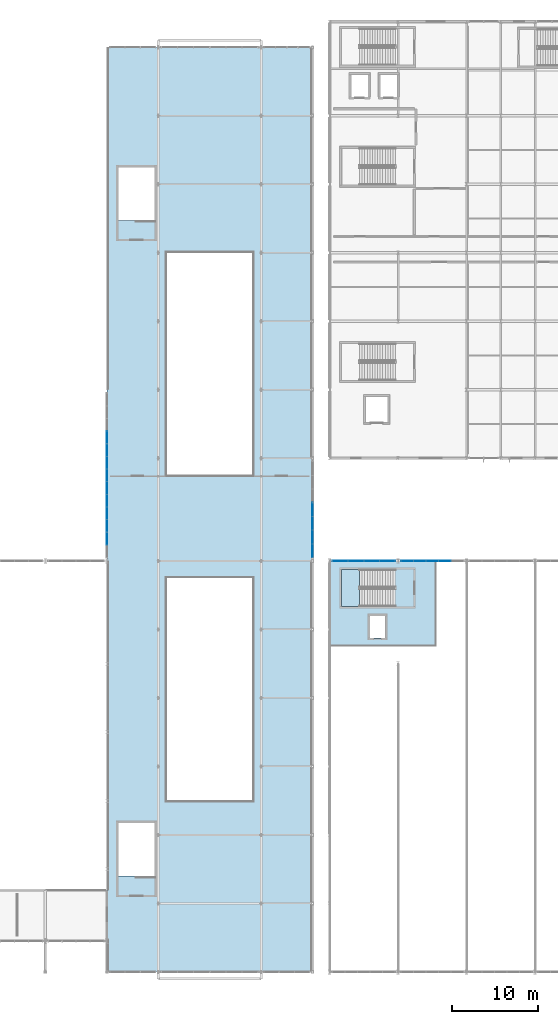
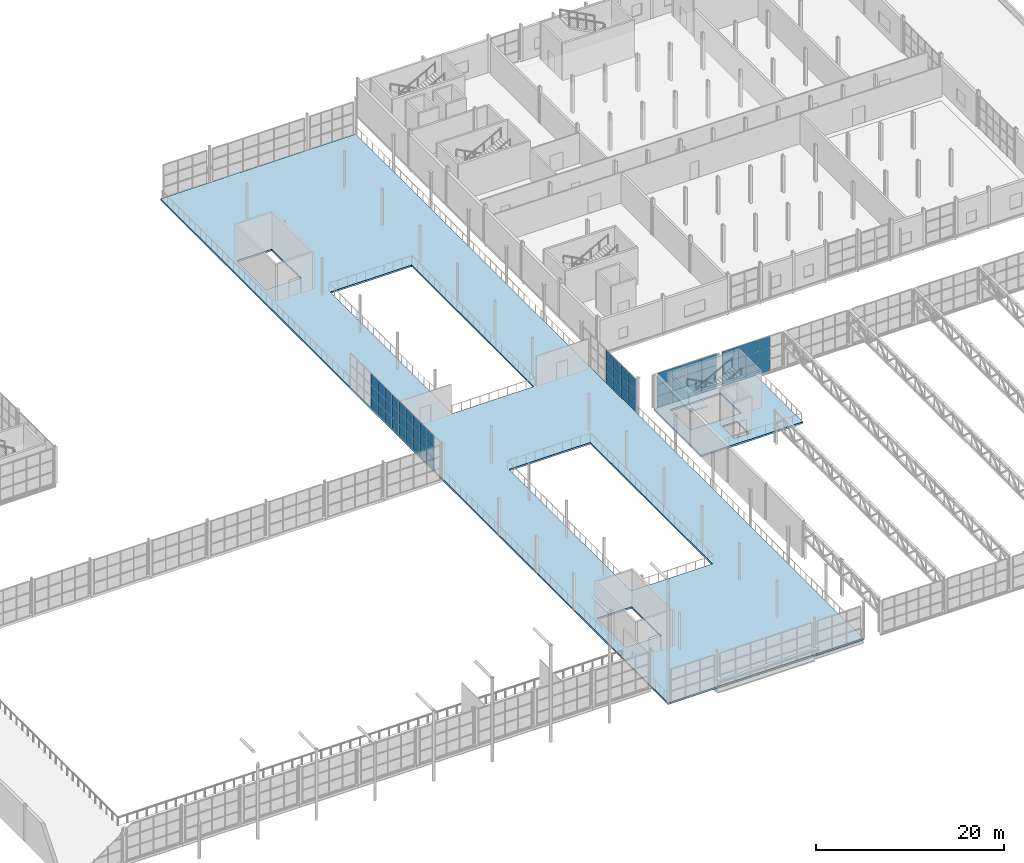
# One storey, part 109 of 143: 63 plates, 3 slabs, 5 elements without a shape of their own.
"""IFC4 building model written with IfcOpenShell, lengths in metres."""

from ifc_helpers import new_model, si_unit, derived_unit, direction, frame, origin, origin_2d, place, context, subcontext, project, spatial, polyline, rectangle, outline, extrude, material, layer, layer_set, type_object, element, aggregate, save


model = new_model("IFC4")

# Units and contexts
model_context = context("Model", 3, precision=1e-05, world=origin(), true_north=direction((0.0, 1.0)))
body_context = subcontext(model_context, "Body", "Model", "MODEL_VIEW")
ifc_project = project(units=[si_unit("LENGTHUNIT", "METRE"), si_unit("AREAUNIT", "SQUARE_METRE"), si_unit("VOLUMEUNIT", "CUBIC_METRE"), si_unit("PLANEANGLEUNIT", "RADIAN"), si_unit("MASSUNIT", "GRAM", prefix="KILO"), derived_unit("THERMALTRANSMITTANCEUNIT", [(si_unit("POWERUNIT", "WATT"), 1), (si_unit("LENGTHUNIT", "METRE"), -2), (si_unit("THERMODYNAMICTEMPERATUREUNIT", "KELVIN"), -1)])], contexts=[model_context])

# Site, building, storey
site_placement = place(None, origin())
site = spatial("IfcSite", under=ifc_project, at=site_placement, CompositionType="ELEMENT")
building_placement = place(site_placement, origin())
building = spatial("IfcBuilding", under=site, at=building_placement, Name="Keldorne Ridge Multi-Sports Centre", CompositionType="ELEMENT")
storey_placement = place(building_placement, frame((0.0, 0.0, 4.800048828125)))
storey = spatial("IfcBuildingStorey", under=building, at=storey_placement, Name="L01", CompositionType="ELEMENT", Elevation=4.800048828125)

# Curtain wall, plates
ifc_material_1 = material(Name="Anodized aluminium", Category="aluminium")
curtain_wall_type_1 = type_object("IfcCurtainWallType", Name="CW-CW-04", PredefinedType="NOTDEFINED", material=ifc_material_1)
curtain_wall_1_placement = place(storey_placement, origin())
curtain_wall_1 = element("IfcCurtainWall", 1, at=curtain_wall_1_placement, inside=storey, type_object=curtain_wall_type_1, Name="Passage west courtyard curtain wall L01 084", PredefinedType="NOTDEFINED")
ifc_material_2 = material(Name="Double low-e insulated glazing", Category="glass")
ifc_layer_1 = layer(ifc_material_2, 0.035888671875)
ifc_layer_set_1 = layer_set([ifc_layer_1])
plate_type = type_object("IfcPlateType", Name="PLT-GL-01", PredefinedType="CURTAIN_PANEL", material=ifc_layer_set_1)
plate_1_placement = place(storey_placement, frame((78.0, 68.430908203125, 0.02001953125), z_axis=(0.0, 0.0, 1.0), x_axis=(0.0, -1.0, 0.0)))
plate_1 = element("IfcPlate", 2, at=plate_1_placement, type_object=plate_type, Name="CW-084 glazed panel 4.1", PredefinedType="CURTAIN_PANEL", context=body_context, shape_type="SweptSolid", body=[
    extrude(rectangle(XDim=1.43701171875, YDim=0.035888671875, at=origin_2d()), origin(), (0.0, 0.0, 1.0), 1.4599609375),
])
plate_2_placement = place(storey_placement, frame((78.0, 68.430908203125, 1.52001953125), z_axis=(0.0, 0.0, 1.0), x_axis=(0.0, -1.0, 0.0)))
plate_2 = element("IfcPlate", 3, at=plate_2_placement, type_object=plate_type, Name="CW-084 glazed panel 4.2", PredefinedType="CURTAIN_PANEL", context=body_context, shape_type="SweptSolid", body=[
    extrude(rectangle(XDim=1.43701171875, YDim=0.035888671875, at=origin_2d()), origin(), (0.0, 0.0, 1.0), 1.4599609375),
])
plate_3_placement = place(storey_placement, frame((78.0, 68.430908203125, 3.02001953125), z_axis=(0.0, 0.0, 1.0), x_axis=(0.0, -1.0, 0.0)))
plate_3 = element("IfcPlate", 4, at=plate_3_placement, type_object=plate_type, Name="CW-084 glazed panel 4.3", PredefinedType="CURTAIN_PANEL", context=body_context, shape_type="SweptSolid", body=[
    extrude(rectangle(XDim=1.43701171875, YDim=0.035888671875, at=origin_2d()), origin(), (0.0, 0.0, 1.0), 1.4599609375),
])
plate_4_placement = place(storey_placement, frame((78.0, 66.953857421875, 0.02001953125), z_axis=(0.0, 0.0, 1.0), x_axis=(0.0, -1.0, 0.0)))
plate_4 = element("IfcPlate", 5, at=plate_4_placement, type_object=plate_type, Name="CW-084 glazed panel 5.1", PredefinedType="CURTAIN_PANEL", context=body_context, shape_type="SweptSolid", body=[
    extrude(rectangle(XDim=1.43701171875, YDim=0.035888671875, at=origin_2d()), origin(), (0.0, 0.0, 1.0), 1.4599609375),
])
plate_5_placement = place(storey_placement, frame((78.0, 66.953857421875, 1.52001953125), z_axis=(0.0, 0.0, 1.0), x_axis=(0.0, -1.0, 0.0)))
plate_5 = element("IfcPlate", 6, at=plate_5_placement, type_object=plate_type, Name="CW-084 glazed panel 5.2", PredefinedType="CURTAIN_PANEL", context=body_context, shape_type="SweptSolid", body=[
    extrude(rectangle(XDim=1.43701171875, YDim=0.035888671875, at=origin_2d()), origin(), (0.0, 0.0, 1.0), 1.4599609375),
])
plate_6_placement = place(storey_placement, frame((78.0, 66.953857421875, 3.02001953125), z_axis=(0.0, 0.0, 1.0), x_axis=(0.0, -1.0, 0.0)))
plate_6 = element("IfcPlate", 7, at=plate_6_placement, type_object=plate_type, Name="CW-084 glazed panel 5.3", PredefinedType="CURTAIN_PANEL", context=body_context, shape_type="SweptSolid", body=[
    extrude(rectangle(XDim=1.43701171875, YDim=0.035888671875, at=origin_2d()), origin(), (0.0, 0.0, 1.0), 1.4599609375),
])
plate_7_placement = place(storey_placement, frame((78.0, 65.476806640625, 0.02001953125), z_axis=(0.0, 0.0, 1.0), x_axis=(0.0, -1.0, 0.0)))
plate_7 = element("IfcPlate", 8, at=plate_7_placement, type_object=plate_type, Name="CW-084 glazed panel 6.1", PredefinedType="CURTAIN_PANEL", context=body_context, shape_type="SweptSolid", body=[
    extrude(rectangle(XDim=1.43701171875, YDim=0.035888671875, at=origin_2d()), origin(), (0.0, 0.0, 1.0), 1.4599609375),
])
plate_8_placement = place(storey_placement, frame((78.0, 65.476806640625, 1.52001953125), z_axis=(0.0, 0.0, 1.0), x_axis=(0.0, -1.0, 0.0)))
plate_8 = element("IfcPlate", 9, at=plate_8_placement, type_object=plate_type, Name="CW-084 glazed panel 6.2", PredefinedType="CURTAIN_PANEL", context=body_context, shape_type="SweptSolid", body=[
    extrude(rectangle(XDim=1.43701171875, YDim=0.035888671875, at=origin_2d()), origin(), (0.0, 0.0, 1.0), 1.4599609375),
])
plate_9_placement = place(storey_placement, frame((78.0, 65.476806640625, 3.02001953125), z_axis=(0.0, 0.0, 1.0), x_axis=(0.0, -1.0, 0.0)))
plate_9 = element("IfcPlate", 10, at=plate_9_placement, type_object=plate_type, Name="CW-084 glazed panel 6.3", PredefinedType="CURTAIN_PANEL", context=body_context, shape_type="SweptSolid", body=[
    extrude(rectangle(XDim=1.43701171875, YDim=0.035888671875, at=origin_2d()), origin(), (0.0, 0.0, 1.0), 1.4599609375),
])
plate_10_placement = place(storey_placement, frame((78.0, 64.0, 0.02001953125), z_axis=(0.0, 0.0, 1.0), x_axis=(0.0, -1.0, 0.0)))
plate_10 = element("IfcPlate", 11, at=plate_10_placement, type_object=plate_type, Name="CW-084 glazed panel 7.1", PredefinedType="CURTAIN_PANEL", context=body_context, shape_type="SweptSolid", body=[
    extrude(rectangle(XDim=1.43701171875, YDim=0.035888671875, at=origin_2d()), origin(), (0.0, 0.0, 1.0), 1.4599609375),
])
plate_11_placement = place(storey_placement, frame((78.0, 64.0, 1.52001953125), z_axis=(0.0, 0.0, 1.0), x_axis=(0.0, -1.0, 0.0)))
plate_11 = element("IfcPlate", 12, at=plate_11_placement, type_object=plate_type, Name="CW-084 glazed panel 7.2", PredefinedType="CURTAIN_PANEL", context=body_context, shape_type="SweptSolid", body=[
    extrude(rectangle(XDim=1.43701171875, YDim=0.035888671875, at=origin_2d()), origin(), (0.0, 0.0, 1.0), 1.4599609375),
])
plate_12_placement = place(storey_placement, frame((78.0, 64.0, 3.02001953125), z_axis=(0.0, 0.0, 1.0), x_axis=(0.0, -1.0, 0.0)))
plate_12 = element("IfcPlate", 13, at=plate_12_placement, type_object=plate_type, Name="CW-084 glazed panel 7.3", PredefinedType="CURTAIN_PANEL", context=body_context, shape_type="SweptSolid", body=[
    extrude(rectangle(XDim=1.43701171875, YDim=0.035888671875, at=origin_2d()), origin(), (0.0, 0.0, 1.0), 1.4599609375),
])
plate_13_placement = place(storey_placement, frame((78.0, 62.523193359375, 0.02001953125), z_axis=(0.0, 0.0, 1.0), x_axis=(0.0, -1.0, 0.0)))
plate_13 = element("IfcPlate", 14, at=plate_13_placement, type_object=plate_type, Name="CW-084 glazed panel 8.1", PredefinedType="CURTAIN_PANEL", context=body_context, shape_type="SweptSolid", body=[
    extrude(rectangle(XDim=1.43701171875, YDim=0.035888671875, at=origin_2d()), origin(), (0.0, 0.0, 1.0), 1.4599609375),
])
plate_14_placement = place(storey_placement, frame((78.0, 62.523193359375, 1.52001953125), z_axis=(0.0, 0.0, 1.0), x_axis=(0.0, -1.0, 0.0)))
plate_14 = element("IfcPlate", 15, at=plate_14_placement, type_object=plate_type, Name="CW-084 glazed panel 8.2", PredefinedType="CURTAIN_PANEL", context=body_context, shape_type="SweptSolid", body=[
    extrude(rectangle(XDim=1.43701171875, YDim=0.035888671875, at=origin_2d()), origin(), (0.0, 0.0, 1.0), 1.4599609375),
])
plate_15_placement = place(storey_placement, frame((78.0, 62.523193359375, 3.02001953125), z_axis=(0.0, 0.0, 1.0), x_axis=(0.0, -1.0, 0.0)))
plate_15 = element("IfcPlate", 16, at=plate_15_placement, type_object=plate_type, Name="CW-084 glazed panel 8.3", PredefinedType="CURTAIN_PANEL", context=body_context, shape_type="SweptSolid", body=[
    extrude(rectangle(XDim=1.43701171875, YDim=0.035888671875, at=origin_2d()), origin(), (0.0, 0.0, 1.0), 1.4599609375),
])
plate_16_placement = place(storey_placement, frame((78.0, 61.046142578125, 0.02001953125), z_axis=(0.0, 0.0, 1.0), x_axis=(0.0, -1.0, 0.0)))
plate_16 = element("IfcPlate", 17, at=plate_16_placement, type_object=plate_type, Name="CW-084 glazed panel 9.1", PredefinedType="CURTAIN_PANEL", context=body_context, shape_type="SweptSolid", body=[
    extrude(rectangle(XDim=1.43701171875, YDim=0.035888671875, at=origin_2d()), origin(), (0.0, 0.0, 1.0), 1.4599609375),
])
plate_17_placement = place(storey_placement, frame((78.0, 61.046142578125, 1.52001953125), z_axis=(0.0, 0.0, 1.0), x_axis=(0.0, -1.0, 0.0)))
plate_17 = element("IfcPlate", 18, at=plate_17_placement, type_object=plate_type, Name="CW-084 glazed panel 9.2", PredefinedType="CURTAIN_PANEL", context=body_context, shape_type="SweptSolid", body=[
    extrude(rectangle(XDim=1.43701171875, YDim=0.035888671875, at=origin_2d()), origin(), (0.0, 0.0, 1.0), 1.4599609375),
])
plate_18_placement = place(storey_placement, frame((78.0, 61.046142578125, 3.02001953125), z_axis=(0.0, 0.0, 1.0), x_axis=(0.0, -1.0, 0.0)))
plate_18 = element("IfcPlate", 19, at=plate_18_placement, type_object=plate_type, Name="CW-084 glazed panel 9.3", PredefinedType="CURTAIN_PANEL", context=body_context, shape_type="SweptSolid", body=[
    extrude(rectangle(XDim=1.43701171875, YDim=0.035888671875, at=origin_2d()), origin(), (0.0, 0.0, 1.0), 1.4599609375),
])
plate_19_placement = place(storey_placement, frame((78.0, 59.569091796875, 0.02001953125), z_axis=(0.0, 0.0, 1.0), x_axis=(0.0, -1.0, 0.0)))
plate_19 = element("IfcPlate", 20, at=plate_19_placement, type_object=plate_type, Name="CW-084 glazed panel 10.1", PredefinedType="CURTAIN_PANEL", context=body_context, shape_type="SweptSolid", body=[
    extrude(rectangle(XDim=1.43701171875, YDim=0.035888671875, at=origin_2d()), origin(), (0.0, 0.0, 1.0), 1.4599609375),
])
plate_20_placement = place(storey_placement, frame((78.0, 59.569091796875, 1.52001953125), z_axis=(0.0, 0.0, 1.0), x_axis=(0.0, -1.0, 0.0)))
plate_20 = element("IfcPlate", 21, at=plate_20_placement, type_object=plate_type, Name="CW-084 glazed panel 10.2", PredefinedType="CURTAIN_PANEL", context=body_context, shape_type="SweptSolid", body=[
    extrude(rectangle(XDim=1.43701171875, YDim=0.035888671875, at=origin_2d()), origin(), (0.0, 0.0, 1.0), 1.4599609375),
])
plate_21_placement = place(storey_placement, frame((78.0, 59.569091796875, 3.02001953125), z_axis=(0.0, 0.0, 1.0), x_axis=(0.0, -1.0, 0.0)))
plate_21 = element("IfcPlate", 22, at=plate_21_placement, type_object=plate_type, Name="CW-084 glazed panel 10.3", PredefinedType="CURTAIN_PANEL", context=body_context, shape_type="SweptSolid", body=[
    extrude(rectangle(XDim=1.43701171875, YDim=0.035888671875, at=origin_2d()), origin(), (0.0, 0.0, 1.0), 1.4599609375),
])
plate_22_placement = place(storey_placement, frame((78.0, 58.09228515625, 0.02001953125), z_axis=(0.0, 0.0, 1.0), x_axis=(0.0, -1.0, 0.0)))
plate_22 = element("IfcPlate", 23, at=plate_22_placement, type_object=plate_type, Name="CW-084 glazed panel 11.1", PredefinedType="CURTAIN_PANEL", context=body_context, shape_type="SweptSolid", body=[
    extrude(rectangle(XDim=1.43701171875, YDim=0.035888671875, at=origin_2d()), origin(), (0.0, 0.0, 1.0), 1.4599609375),
])
plate_23_placement = place(storey_placement, frame((78.0, 58.09228515625, 1.52001953125), z_axis=(0.0, 0.0, 1.0), x_axis=(0.0, -1.0, 0.0)))
plate_23 = element("IfcPlate", 24, at=plate_23_placement, type_object=plate_type, Name="CW-084 glazed panel 11.2", PredefinedType="CURTAIN_PANEL", context=body_context, shape_type="SweptSolid", body=[
    extrude(rectangle(XDim=1.43701171875, YDim=0.035888671875, at=origin_2d()), origin(), (0.0, 0.0, 1.0), 1.4599609375),
])
plate_24_placement = place(storey_placement, frame((78.0, 58.09228515625, 3.02001953125), z_axis=(0.0, 0.0, 1.0), x_axis=(0.0, -1.0, 0.0)))
plate_24 = element("IfcPlate", 25, at=plate_24_placement, type_object=plate_type, Name="CW-084 glazed panel 11.3", PredefinedType="CURTAIN_PANEL", context=body_context, shape_type="SweptSolid", body=[
    extrude(rectangle(XDim=1.43701171875, YDim=0.035888671875, at=origin_2d()), origin(), (0.0, 0.0, 1.0), 1.4599609375),
])
plate_25_placement = place(storey_placement, frame((78.0, 56.615478515625, 0.02001953125), z_axis=(0.0, 0.0, 1.0), x_axis=(0.0, -1.0, 0.0)))
plate_25 = element("IfcPlate", 26, at=plate_25_placement, type_object=plate_type, Name="CW-084 glazed panel 12.1", PredefinedType="CURTAIN_PANEL", context=body_context, shape_type="SweptSolid", body=[
    extrude(rectangle(XDim=1.43701171875, YDim=0.035888671875, at=origin_2d()), origin(), (0.0, 0.0, 1.0), 1.4599609375),
])
plate_26_placement = place(storey_placement, frame((78.0, 56.615478515625, 1.52001953125), z_axis=(0.0, 0.0, 1.0), x_axis=(0.0, -1.0, 0.0)))
plate_26 = element("IfcPlate", 27, at=plate_26_placement, type_object=plate_type, Name="CW-084 glazed panel 12.2", PredefinedType="CURTAIN_PANEL", context=body_context, shape_type="SweptSolid", body=[
    extrude(rectangle(XDim=1.43701171875, YDim=0.035888671875, at=origin_2d()), origin(), (0.0, 0.0, 1.0), 1.4599609375),
])
plate_27_placement = place(storey_placement, frame((78.0, 56.615478515625, 3.02001953125), z_axis=(0.0, 0.0, 1.0), x_axis=(0.0, -1.0, 0.0)))
plate_27 = element("IfcPlate", 28, at=plate_27_placement, type_object=plate_type, Name="CW-084 glazed panel 12.3", PredefinedType="CURTAIN_PANEL", context=body_context, shape_type="SweptSolid", body=[
    extrude(rectangle(XDim=1.43701171875, YDim=0.035888671875, at=origin_2d()), origin(), (0.0, 0.0, 1.0), 1.4599609375),
])
aggregate(curtain_wall_1, [plate_1, plate_2, plate_3, plate_4, plate_5, plate_6, plate_7, plate_8, plate_9, plate_10, plate_11, plate_12, plate_13, plate_14, plate_15, plate_16, plate_17, plate_18, plate_19, plate_20, plate_21, plate_22, plate_23, plate_24, plate_25, plate_26, plate_27])

curtain_wall_type_2 = type_object("IfcCurtainWallType", Name="CW-CW-06", PredefinedType="NOTDEFINED", material=ifc_material_1)
curtain_wall_2_placement = place(storey_placement, origin())
curtain_wall_2 = element("IfcCurtainWall", 29, at=curtain_wall_2_placement, inside=storey, type_object=curtain_wall_type_2, Name="Passage east courtyard curtain wall L01 086", PredefinedType="NOTDEFINED")
plate_28_placement = place(storey_placement, frame((102.0, 55.199951171875, 0.02001953125), z_axis=(0.0, 0.0, 1.0), x_axis=(0.0, 1.0, 0.0)))
plate_28 = element("IfcPlate", 30, at=plate_28_placement, type_object=plate_type, Name="CW-086 glazed panel 1.1", PredefinedType="CURTAIN_PANEL", context=body_context, shape_type="SweptSolid", body=[
    extrude(rectangle(XDim=1.56005859375, YDim=0.035888671875, at=origin_2d()), origin(), (0.0, 0.0, 1.0), 1.393310546875),
])
plate_29_placement = place(storey_placement, frame((102.0, 55.199951171875, 1.453125), z_axis=(0.0, 0.0, 1.0), x_axis=(0.0, 1.0, 0.0)))
plate_29 = element("IfcPlate", 31, at=plate_29_placement, type_object=plate_type, Name="CW-086 glazed panel 1.2", PredefinedType="CURTAIN_PANEL", context=body_context, shape_type="SweptSolid", body=[
    extrude(rectangle(XDim=1.56005859375, YDim=0.035888671875, at=origin_2d()), origin(), (0.0, 0.0, 1.0), 1.393310546875),
])
plate_30_placement = place(storey_placement, frame((102.0, 55.199951171875, 2.88671875), z_axis=(0.0, 0.0, 1.0), x_axis=(0.0, 1.0, 0.0)))
plate_30 = element("IfcPlate", 32, at=plate_30_placement, type_object=plate_type, Name="CW-086 glazed panel 1.3", PredefinedType="CURTAIN_PANEL", context=body_context, shape_type="SweptSolid", body=[
    extrude(rectangle(XDim=1.56005859375, YDim=0.035888671875, at=origin_2d()), origin(), (0.0, 0.0, 1.0), 1.393310546875),
])
plate_31_placement = place(storey_placement, frame((102.0, 56.800048828125, 0.02001953125), z_axis=(0.0, 0.0, 1.0), x_axis=(0.0, 1.0, 0.0)))
plate_31 = element("IfcPlate", 33, at=plate_31_placement, type_object=plate_type, Name="CW-086 glazed panel 2.1", PredefinedType="CURTAIN_PANEL", context=body_context, shape_type="SweptSolid", body=[
    extrude(rectangle(XDim=1.56005859375, YDim=0.035888671875, at=origin_2d()), origin(), (0.0, 0.0, 1.0), 1.393310546875),
])
plate_32_placement = place(storey_placement, frame((102.0, 56.800048828125, 1.453125), z_axis=(0.0, 0.0, 1.0), x_axis=(0.0, 1.0, 0.0)))
plate_32 = element("IfcPlate", 34, at=plate_32_placement, type_object=plate_type, Name="CW-086 glazed panel 2.2", PredefinedType="CURTAIN_PANEL", context=body_context, shape_type="SweptSolid", body=[
    extrude(rectangle(XDim=1.56005859375, YDim=0.035888671875, at=origin_2d()), origin(), (0.0, 0.0, 1.0), 1.393310546875),
])
plate_33_placement = place(storey_placement, frame((102.0, 56.800048828125, 2.88671875), z_axis=(0.0, 0.0, 1.0), x_axis=(0.0, 1.0, 0.0)))
plate_33 = element("IfcPlate", 35, at=plate_33_placement, type_object=plate_type, Name="CW-086 glazed panel 2.3", PredefinedType="CURTAIN_PANEL", context=body_context, shape_type="SweptSolid", body=[
    extrude(rectangle(XDim=1.56005859375, YDim=0.035888671875, at=origin_2d()), origin(), (0.0, 0.0, 1.0), 1.393310546875),
])
plate_34_placement = place(storey_placement, frame((102.0, 58.39990234375, 0.02001953125), z_axis=(0.0, 0.0, 1.0), x_axis=(0.0, 1.0, 0.0)))
plate_34 = element("IfcPlate", 36, at=plate_34_placement, type_object=plate_type, Name="CW-086 glazed panel 3.1", PredefinedType="CURTAIN_PANEL", context=body_context, shape_type="SweptSolid", body=[
    extrude(rectangle(XDim=1.56005859375, YDim=0.035888671875, at=origin_2d()), origin(), (0.0, 0.0, 1.0), 1.393310546875),
])
plate_35_placement = place(storey_placement, frame((102.0, 58.39990234375, 1.453125), z_axis=(0.0, 0.0, 1.0), x_axis=(0.0, 1.0, 0.0)))
plate_35 = element("IfcPlate", 37, at=plate_35_placement, type_object=plate_type, Name="CW-086 glazed panel 3.2", PredefinedType="CURTAIN_PANEL", context=body_context, shape_type="SweptSolid", body=[
    extrude(rectangle(XDim=1.56005859375, YDim=0.035888671875, at=origin_2d()), origin(), (0.0, 0.0, 1.0), 1.393310546875),
])
plate_36_placement = place(storey_placement, frame((102.0, 58.39990234375, 2.88671875), z_axis=(0.0, 0.0, 1.0), x_axis=(0.0, 1.0, 0.0)))
plate_36 = element("IfcPlate", 38, at=plate_36_placement, type_object=plate_type, Name="CW-086 glazed panel 3.3", PredefinedType="CURTAIN_PANEL", context=body_context, shape_type="SweptSolid", body=[
    extrude(rectangle(XDim=1.56005859375, YDim=0.035888671875, at=origin_2d()), origin(), (0.0, 0.0, 1.0), 1.393310546875),
])
plate_37_placement = place(storey_placement, frame((102.0, 60.0, 0.02001953125), z_axis=(0.0, 0.0, 1.0), x_axis=(0.0, 1.0, 0.0)))
plate_37 = element("IfcPlate", 39, at=plate_37_placement, type_object=plate_type, Name="CW-086 glazed panel 4.1", PredefinedType="CURTAIN_PANEL", context=body_context, shape_type="SweptSolid", body=[
    extrude(rectangle(XDim=1.56005859375, YDim=0.035888671875, at=origin_2d()), origin(), (0.0, 0.0, 1.0), 1.393310546875),
])
plate_38_placement = place(storey_placement, frame((102.0, 60.0, 1.453125), z_axis=(0.0, 0.0, 1.0), x_axis=(0.0, 1.0, 0.0)))
plate_38 = element("IfcPlate", 40, at=plate_38_placement, type_object=plate_type, Name="CW-086 glazed panel 4.2", PredefinedType="CURTAIN_PANEL", context=body_context, shape_type="SweptSolid", body=[
    extrude(rectangle(XDim=1.56005859375, YDim=0.035888671875, at=origin_2d()), origin(), (0.0, 0.0, 1.0), 1.393310546875),
])
plate_39_placement = place(storey_placement, frame((102.0, 60.0, 2.88671875), z_axis=(0.0, 0.0, 1.0), x_axis=(0.0, 1.0, 0.0)))
plate_39 = element("IfcPlate", 41, at=plate_39_placement, type_object=plate_type, Name="CW-086 glazed panel 4.3", PredefinedType="CURTAIN_PANEL", context=body_context, shape_type="SweptSolid", body=[
    extrude(rectangle(XDim=1.56005859375, YDim=0.035888671875, at=origin_2d()), origin(), (0.0, 0.0, 1.0), 1.393310546875),
])
aggregate(curtain_wall_2, [plate_28, plate_29, plate_30, plate_31, plate_32, plate_33, plate_34, plate_35, plate_36, plate_37, plate_38, plate_39])

curtain_wall_type_3 = type_object("IfcCurtainWallType", Name="CW-CW-03", PredefinedType="NOTDEFINED", material=ifc_material_1)
curtain_wall_3_placement = place(storey_placement, origin())
curtain_wall_3 = element("IfcCurtainWall", 42, at=curtain_wall_3_placement, inside=storey, type_object=curtain_wall_type_3, Name="Lower Courts north clerestory 091", PredefinedType="NOTDEFINED")
plate_40_placement = place(storey_placement, frame((110.7451171875, 54.0, 0.02001953125), z_axis=(0.0, 0.0, 1.0), x_axis=(-1.0, 0.0, 0.0)))
plate_40 = element("IfcPlate", 43, at=plate_40_placement, type_object=plate_type, Name="CW-091 glazed panel 1.1", PredefinedType="CURTAIN_PANEL", context=body_context, shape_type="SweptSolid", body=[
    extrude(rectangle(XDim=1.7900390625, YDim=0.035888671875, at=origin_2d()), origin(), (0.0, 0.0, 1.0), 1.4599609375),
])
plate_41_placement = place(storey_placement, frame((110.7451171875, 54.0, 1.52001953125), z_axis=(0.0, 0.0, 1.0), x_axis=(-1.0, 0.0, 0.0)))
plate_41 = element("IfcPlate", 44, at=plate_41_placement, type_object=plate_type, Name="CW-091 glazed panel 1.2", PredefinedType="CURTAIN_PANEL", context=body_context, shape_type="SweptSolid", body=[
    extrude(rectangle(XDim=1.7900390625, YDim=0.035888671875, at=origin_2d()), origin(), (0.0, 0.0, 1.0), 1.4599609375),
])
plate_42_placement = place(storey_placement, frame((110.7451171875, 54.0, 3.02001953125), z_axis=(0.0, 0.0, 1.0), x_axis=(-1.0, 0.0, 0.0)))
plate_42 = element("IfcPlate", 45, at=plate_42_placement, type_object=plate_type, Name="CW-091 glazed panel 1.3", PredefinedType="CURTAIN_PANEL", context=body_context, shape_type="SweptSolid", body=[
    extrude(rectangle(XDim=1.7900390625, YDim=0.035888671875, at=origin_2d()), origin(), (0.0, 0.0, 1.0), 1.4599609375),
])
plate_43_placement = place(storey_placement, frame((108.9150390625, 54.0, 0.02001953125), z_axis=(0.0, 0.0, 1.0), x_axis=(-1.0, 0.0, 0.0)))
plate_43 = element("IfcPlate", 46, at=plate_43_placement, type_object=plate_type, Name="CW-091 glazed panel 2.1", PredefinedType="CURTAIN_PANEL", context=body_context, shape_type="SweptSolid", body=[
    extrude(rectangle(XDim=1.7900390625, YDim=0.035888671875, at=origin_2d()), origin(), (0.0, 0.0, 1.0), 1.4599609375),
])
plate_44_placement = place(storey_placement, frame((108.9150390625, 54.0, 1.52001953125), z_axis=(0.0, 0.0, 1.0), x_axis=(-1.0, 0.0, 0.0)))
plate_44 = element("IfcPlate", 47, at=plate_44_placement, type_object=plate_type, Name="CW-091 glazed panel 2.2", PredefinedType="CURTAIN_PANEL", context=body_context, shape_type="SweptSolid", body=[
    extrude(rectangle(XDim=1.7900390625, YDim=0.035888671875, at=origin_2d()), origin(), (0.0, 0.0, 1.0), 1.4599609375),
])
plate_45_placement = place(storey_placement, frame((108.9150390625, 54.0, 3.02001953125), z_axis=(0.0, 0.0, 1.0), x_axis=(-1.0, 0.0, 0.0)))
plate_45 = element("IfcPlate", 48, at=plate_45_placement, type_object=plate_type, Name="CW-091 glazed panel 2.3", PredefinedType="CURTAIN_PANEL", context=body_context, shape_type="SweptSolid", body=[
    extrude(rectangle(XDim=1.7900390625, YDim=0.035888671875, at=origin_2d()), origin(), (0.0, 0.0, 1.0), 1.4599609375),
])
plate_46_placement = place(storey_placement, frame((107.0849609375, 54.0, 0.02001953125), z_axis=(0.0, 0.0, 1.0), x_axis=(-1.0, 0.0, 0.0)))
plate_46 = element("IfcPlate", 49, at=plate_46_placement, type_object=plate_type, Name="CW-091 glazed panel 3.1", PredefinedType="CURTAIN_PANEL", context=body_context, shape_type="SweptSolid", body=[
    extrude(rectangle(XDim=1.7900390625, YDim=0.035888671875, at=origin_2d()), origin(), (0.0, 0.0, 1.0), 1.4599609375),
])
plate_47_placement = place(storey_placement, frame((107.0849609375, 54.0, 1.52001953125), z_axis=(0.0, 0.0, 1.0), x_axis=(-1.0, 0.0, 0.0)))
plate_47 = element("IfcPlate", 50, at=plate_47_placement, type_object=plate_type, Name="CW-091 glazed panel 3.2", PredefinedType="CURTAIN_PANEL", context=body_context, shape_type="SweptSolid", body=[
    extrude(rectangle(XDim=1.7900390625, YDim=0.035888671875, at=origin_2d()), origin(), (0.0, 0.0, 1.0), 1.4599609375),
])
plate_48_placement = place(storey_placement, frame((107.0849609375, 54.0, 3.02001953125), z_axis=(0.0, 0.0, 1.0), x_axis=(-1.0, 0.0, 0.0)))
plate_48 = element("IfcPlate", 51, at=plate_48_placement, type_object=plate_type, Name="CW-091 glazed panel 3.3", PredefinedType="CURTAIN_PANEL", context=body_context, shape_type="SweptSolid", body=[
    extrude(rectangle(XDim=1.7900390625, YDim=0.035888671875, at=origin_2d()), origin(), (0.0, 0.0, 1.0), 1.4599609375),
])
plate_49_placement = place(storey_placement, frame((105.2548828125, 54.0, 0.02001953125), z_axis=(0.0, 0.0, 1.0), x_axis=(-1.0, 0.0, 0.0)))
plate_49 = element("IfcPlate", 52, at=plate_49_placement, type_object=plate_type, Name="CW-091 glazed panel 4.1", PredefinedType="CURTAIN_PANEL", context=body_context, shape_type="SweptSolid", body=[
    extrude(rectangle(XDim=1.7900390625, YDim=0.035888671875, at=origin_2d()), origin(), (0.0, 0.0, 1.0), 1.4599609375),
])
plate_50_placement = place(storey_placement, frame((105.2548828125, 54.0, 1.52001953125), z_axis=(0.0, 0.0, 1.0), x_axis=(-1.0, 0.0, 0.0)))
plate_50 = element("IfcPlate", 53, at=plate_50_placement, type_object=plate_type, Name="CW-091 glazed panel 4.2", PredefinedType="CURTAIN_PANEL", context=body_context, shape_type="SweptSolid", body=[
    extrude(rectangle(XDim=1.7900390625, YDim=0.035888671875, at=origin_2d()), origin(), (0.0, 0.0, 1.0), 1.4599609375),
])
plate_51_placement = place(storey_placement, frame((105.2548828125, 54.0, 3.02001953125), z_axis=(0.0, 0.0, 1.0), x_axis=(-1.0, 0.0, 0.0)))
plate_51 = element("IfcPlate", 54, at=plate_51_placement, type_object=plate_type, Name="CW-091 glazed panel 4.3", PredefinedType="CURTAIN_PANEL", context=body_context, shape_type="SweptSolid", body=[
    extrude(rectangle(XDim=1.7900390625, YDim=0.035888671875, at=origin_2d()), origin(), (0.0, 0.0, 1.0), 1.4599609375),
])
aggregate(curtain_wall_3, [plate_40, plate_41, plate_42, plate_43, plate_44, plate_45, plate_46, plate_47, plate_48, plate_49, plate_50, plate_51])

curtain_wall_type_4 = type_object("IfcCurtainWallType", Name="CW-CW-01", PredefinedType="NOTDEFINED", material=ifc_material_1)
curtain_wall_4_placement = place(storey_placement, origin())
curtain_wall_4 = element("IfcCurtainWall", 55, at=curtain_wall_4_placement, inside=storey, type_object=curtain_wall_type_4, Name="Lower Courts north clerestory 097", PredefinedType="NOTDEFINED")
plate_52_placement = place(storey_placement, frame((117.464111328125, 54.0, 0.02001953125), z_axis=(0.0, 0.0, 1.0), x_axis=(-1.0, 0.0, 0.0)))
plate_52 = element("IfcPlate", 56, at=plate_52_placement, type_object=plate_type, Name="CW-097 glazed panel 2.1", PredefinedType="CURTAIN_PANEL", context=body_context, shape_type="SweptSolid", body=[
    extrude(rectangle(XDim=1.424072265625, YDim=0.035888671875, at=origin_2d()), origin(), (0.0, 0.0, 1.0), 1.4599609375),
])
plate_53_placement = place(storey_placement, frame((117.464111328125, 54.0, 1.52001953125), z_axis=(0.0, 0.0, 1.0), x_axis=(-1.0, 0.0, 0.0)))
plate_53 = element("IfcPlate", 57, at=plate_53_placement, type_object=plate_type, Name="CW-097 glazed panel 2.2", PredefinedType="CURTAIN_PANEL", context=body_context, shape_type="SweptSolid", body=[
    extrude(rectangle(XDim=1.424072265625, YDim=0.035888671875, at=origin_2d()), origin(), (0.0, 0.0, 1.0), 1.4599609375),
])
plate_54_placement = place(storey_placement, frame((117.464111328125, 54.0, 3.02001953125), z_axis=(0.0, 0.0, 1.0), x_axis=(-1.0, 0.0, 0.0)))
plate_54 = element("IfcPlate", 58, at=plate_54_placement, type_object=plate_type, Name="CW-097 glazed panel 2.3", PredefinedType="CURTAIN_PANEL", context=body_context, shape_type="SweptSolid", body=[
    extrude(rectangle(XDim=1.424072265625, YDim=0.035888671875, at=origin_2d()), origin(), (0.0, 0.0, 1.0), 1.4599609375),
])
plate_55_placement = place(storey_placement, frame((116.0, 54.0, 0.02001953125), z_axis=(0.0, 0.0, 1.0), x_axis=(-1.0, 0.0, 0.0)))
plate_55 = element("IfcPlate", 59, at=plate_55_placement, type_object=plate_type, Name="CW-097 glazed panel 3.1", PredefinedType="CURTAIN_PANEL", context=body_context, shape_type="SweptSolid", body=[
    extrude(rectangle(XDim=1.424072265625, YDim=0.035888671875, at=origin_2d()), origin(), (0.0, 0.0, 1.0), 1.4599609375),
])
plate_56_placement = place(storey_placement, frame((116.0, 54.0, 1.52001953125), z_axis=(0.0, 0.0, 1.0), x_axis=(-1.0, 0.0, 0.0)))
plate_56 = element("IfcPlate", 60, at=plate_56_placement, type_object=plate_type, Name="CW-097 glazed panel 3.2", PredefinedType="CURTAIN_PANEL", context=body_context, shape_type="SweptSolid", body=[
    extrude(rectangle(XDim=1.424072265625, YDim=0.035888671875, at=origin_2d()), origin(), (0.0, 0.0, 1.0), 1.4599609375),
])
plate_57_placement = place(storey_placement, frame((116.0, 54.0, 3.02001953125), z_axis=(0.0, 0.0, 1.0), x_axis=(-1.0, 0.0, 0.0)))
plate_57 = element("IfcPlate", 61, at=plate_57_placement, type_object=plate_type, Name="CW-097 glazed panel 3.3", PredefinedType="CURTAIN_PANEL", context=body_context, shape_type="SweptSolid", body=[
    extrude(rectangle(XDim=1.424072265625, YDim=0.035888671875, at=origin_2d()), origin(), (0.0, 0.0, 1.0), 1.4599609375),
])
plate_58_placement = place(storey_placement, frame((114.535888671875, 54.0, 0.02001953125), z_axis=(0.0, 0.0, 1.0), x_axis=(-1.0, 0.0, 0.0)))
plate_58 = element("IfcPlate", 62, at=plate_58_placement, type_object=plate_type, Name="CW-097 glazed panel 4.1", PredefinedType="CURTAIN_PANEL", context=body_context, shape_type="SweptSolid", body=[
    extrude(rectangle(XDim=1.424072265625, YDim=0.035888671875, at=origin_2d()), origin(), (0.0, 0.0, 1.0), 1.4599609375),
])
plate_59_placement = place(storey_placement, frame((114.535888671875, 54.0, 1.52001953125), z_axis=(0.0, 0.0, 1.0), x_axis=(-1.0, 0.0, 0.0)))
plate_59 = element("IfcPlate", 63, at=plate_59_placement, type_object=plate_type, Name="CW-097 glazed panel 4.2", PredefinedType="CURTAIN_PANEL", context=body_context, shape_type="SweptSolid", body=[
    extrude(rectangle(XDim=1.424072265625, YDim=0.035888671875, at=origin_2d()), origin(), (0.0, 0.0, 1.0), 1.4599609375),
])
plate_60_placement = place(storey_placement, frame((114.535888671875, 54.0, 3.02001953125), z_axis=(0.0, 0.0, 1.0), x_axis=(-1.0, 0.0, 0.0)))
plate_60 = element("IfcPlate", 64, at=plate_60_placement, type_object=plate_type, Name="CW-097 glazed panel 4.3", PredefinedType="CURTAIN_PANEL", context=body_context, shape_type="SweptSolid", body=[
    extrude(rectangle(XDim=1.424072265625, YDim=0.035888671875, at=origin_2d()), origin(), (0.0, 0.0, 1.0), 1.4599609375),
])
plate_61_placement = place(storey_placement, frame((113.072021484375, 54.0, 0.02001953125), z_axis=(0.0, 0.0, 1.0), x_axis=(-1.0, 0.0, 0.0)))
plate_61 = element("IfcPlate", 65, at=plate_61_placement, type_object=plate_type, Name="CW-097 glazed panel 5.1", PredefinedType="CURTAIN_PANEL", context=body_context, shape_type="SweptSolid", body=[
    extrude(rectangle(XDim=1.424072265625, YDim=0.035888671875, at=origin_2d()), origin(), (0.0, 0.0, 1.0), 1.4599609375),
])
plate_62_placement = place(storey_placement, frame((113.072021484375, 54.0, 1.52001953125), z_axis=(0.0, 0.0, 1.0), x_axis=(-1.0, 0.0, 0.0)))
plate_62 = element("IfcPlate", 66, at=plate_62_placement, type_object=plate_type, Name="CW-097 glazed panel 5.2", PredefinedType="CURTAIN_PANEL", context=body_context, shape_type="SweptSolid", body=[
    extrude(rectangle(XDim=1.424072265625, YDim=0.035888671875, at=origin_2d()), origin(), (0.0, 0.0, 1.0), 1.4599609375),
])
plate_63_placement = place(storey_placement, frame((113.072021484375, 54.0, 3.02001953125), z_axis=(0.0, 0.0, 1.0), x_axis=(-1.0, 0.0, 0.0)))
plate_63 = element("IfcPlate", 67, at=plate_63_placement, type_object=plate_type, Name="CW-097 glazed panel 5.3", PredefinedType="CURTAIN_PANEL", context=body_context, shape_type="SweptSolid", body=[
    extrude(rectangle(XDim=1.424072265625, YDim=0.035888671875, at=origin_2d()), origin(), (0.0, 0.0, 1.0), 1.4599609375),
])
aggregate(curtain_wall_4, [plate_52, plate_53, plate_54, plate_55, plate_56, plate_57, plate_58, plate_59, plate_60, plate_61, plate_62, plate_63])

# Stair, slab
ifc_material_3 = material(Name="Concrete C35/45", Category="concrete")
stair_type = type_object("IfcStairType", Name="STR-S01", PredefinedType="HALF_TURN_STAIR", material=ifc_material_3)
stair_placement = place(storey_placement, origin())
stair = element("IfcStair", 68, at=stair_placement, inside=storey, type_object=stair_type, Name="L01 Stacked Courts Core C4", PredefinedType="HALF_TURN_STAIR")
ifc_layer_2 = layer(ifc_material_3, 0.199951171875)
ifc_layer_set_2 = layer_set([ifc_layer_2], Name="Concrete C35/45")
slab_type_1 = type_object("IfcSlabType", Name="SLB-LDG-01", PredefinedType="LANDING", material=ifc_layer_set_2)
slab_1_placement = place(storey_placement, frame((0.0, 0.0, 2.199951171875)))
slab_1 = element("IfcSlab", 69, at=slab_1_placement, type_object=slab_type_1, Name="ST-04 landing 1", PredefinedType="LANDING", context=body_context, shape_type="SweptSolid", body=[
    extrude(outline(polyline([(107.5, 53.0), (105.39990234375, 53.0), (105.39990234375, 48.699951171875), (107.5, 48.699951171875), (107.5, 53.0)])), origin(), (0.0, 0.0, 1.0), 0.199951171875),
])
aggregate(stair, [slab_1])

# Slabs
ifc_layer_3 = layer(ifc_material_3, 0.219970703125)
ifc_layer_set_3 = layer_set([ifc_layer_3], Name="Concrete C35/45")
slab_type_2 = type_object("IfcSlabType", Name="SLB-SL-F02", PredefinedType="FLOOR", material=ifc_layer_set_3)
slab_2_placement = place(storey_placement, frame((0.0, 0.0, -0.219970703125)))
element("IfcSlab", 70, at=slab_2_placement, inside=storey, type_object=slab_type_2, Name="First floor Concourse Bridge slab", PredefinedType="FLOOR", context=body_context, shape_type="SweptSolid", body=[
    extrude(outline(polyline([(78.0, 6.0), (102.0, 6.0), (102.0, 114.0), (78.0, 114.0), (78.0, 6.0)]), holes=[polyline([(79.300048828125, 17.179931640625), (79.300048828125, 23.39990234375), (83.60009765625, 23.39990234375), (83.60009765625, 17.179931640625), (79.300048828125, 17.179931640625)]), polyline([(79.300048828125, 93.780029296875), (79.300048828125, 100.0), (83.60009765625, 100.0), (83.60009765625, 93.780029296875), (79.300048828125, 93.780029296875)]), polyline([(85.0, 26.0), (85.0, 52.0), (95.0, 52.0), (95.0, 26.0), (85.0, 26.0)]), polyline([(85.0, 64.0), (85.0, 90.0), (95.0, 90.0), (95.0, 64.0), (85.0, 64.0)])]), origin(), (0.0, 0.0, 1.0), 0.219970703125),
])
slab_3_placement = place(storey_placement, frame((0.0, 0.0, -0.219970703125)))
element("IfcSlab", 71, at=slab_3_placement, inside=storey, type_object=slab_type_2, Name="First floor Stacked Courts North Core slab", PredefinedType="FLOOR", context=body_context, shape_type="SweptSolid", body=[
    extrude(outline(polyline([(104.0, 44.0), (116.5, 44.0), (116.5, 54.0), (104.0, 54.0), (104.0, 44.0)]), holes=[polyline([(105.39990234375, 48.699951171875), (105.39990234375, 53.0), (111.6201171875, 53.0), (111.6201171875, 48.699951171875), (105.39990234375, 48.699951171875)]), polyline([(108.699951171875, 45.0), (108.699951171875, 47.60009765625), (110.5, 47.60009765625), (110.5, 45.0), (108.699951171875, 45.0)])]), origin(), (0.0, 0.0, 1.0), 0.219970703125),
])

save(model, "model.ifc")
